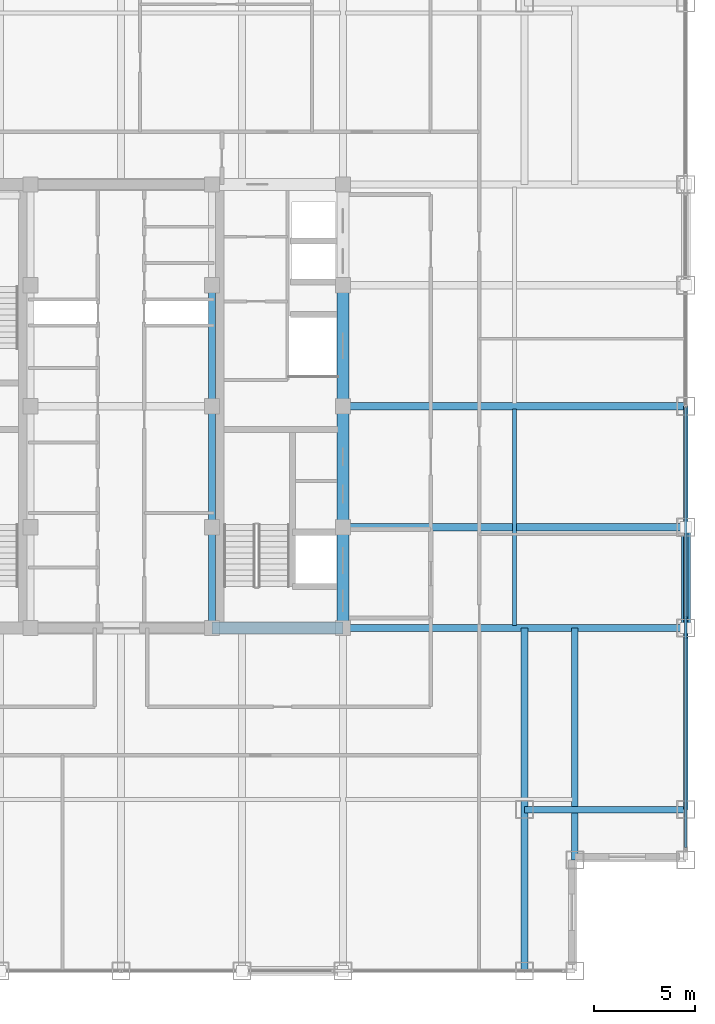
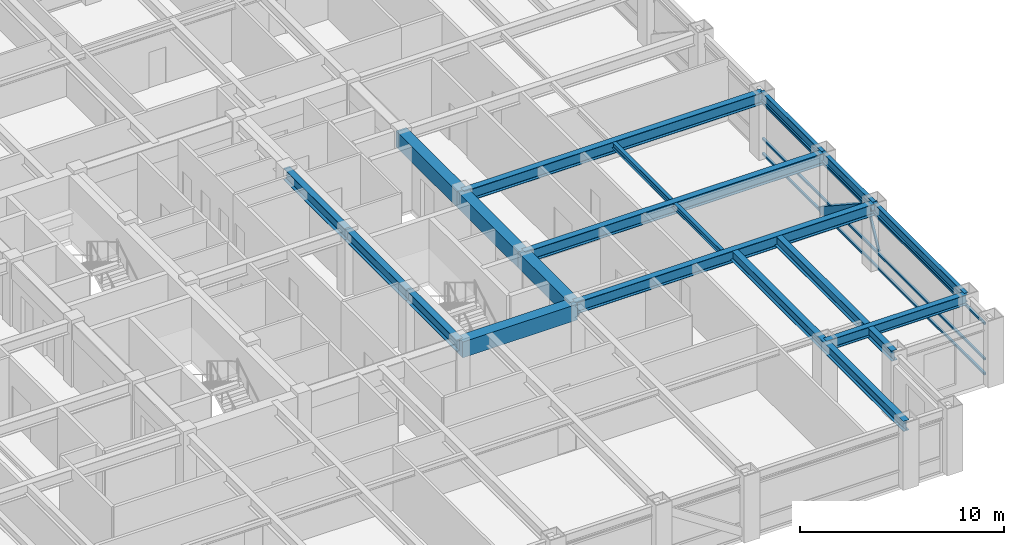
# One storey, part 9 of 22: 17 beams, 5 members, 1 element without a shape of its own.
"""IFC4 building model written with IfcOpenShell, lengths in metres."""

from ifc_helpers import new_model, si_unit, direction, frame, origin, origin_2d, place, context, subcontext, project, spatial, rectangle, hollow_rectangle, i_section, extrude, source, transform, mapped, material, material_profile, profile_set, type_object, element, aggregate, save


model = new_model("IFC4")

# Units and contexts
model_context = context("Model", 3, precision=1e-05, world=origin(), true_north=direction((0.0, 1.0)))
body_context = subcontext(model_context, "Body", "Model", "MODEL_VIEW")
ifc_project = project(units=[si_unit("LENGTHUNIT", "METRE"), si_unit("AREAUNIT", "SQUARE_METRE"), si_unit("VOLUMEUNIT", "CUBIC_METRE"), si_unit("PLANEANGLEUNIT", "RADIAN"), si_unit("MASSUNIT", "GRAM", prefix="KILO")], contexts=[model_context])

# Site, building, storey
site_placement = place(None, origin())
site = spatial("IfcSite", under=ifc_project, at=site_placement, CompositionType="ELEMENT")
building_placement = place(site_placement, origin())
building = spatial("IfcBuilding", under=site, at=building_placement, Name="Khorayat Bourse Tower", CompositionType="ELEMENT")
storey_placement = place(building_placement, frame((0.0, 0.0, 301.5)))
storey = spatial("IfcBuildingStorey", under=building, at=storey_placement, Name="L71", CompositionType="ELEMENT", Elevation=301.5)

# Beams
ifc_material_1 = material(Name="Steel ASTM A992 Grade 50", Category="steel")
ifc_material_profile_1 = material_profile(ifc_material_1, i_section(OverallWidth=0.35498046875, OverallDepth=0.695068359375, WebThickness=0.015380859375, FlangeThickness=0.02490234375, FilletRadius=0.01806640625, at=origin_2d()), Name="W690X217")
ifc_profile_set_1 = profile_set([ifc_material_profile_1], Name="Steel ASTM A992 Grade 50")
beam_type_1 = type_object("IfcBeamType", Name="BM-GIRD-690", PredefinedType="BEAM", material=ifc_profile_set_1)
shared_shape_1 = source(origin(), body_context, "Body", "SweptSolid", [
    extrude(i_section(OverallWidth=0.35498046875, OverallDepth=0.695068359375, WebThickness=0.015380859375, FlangeThickness=0.02490234375, FilletRadius=0.01806640625, at=origin_2d()), origin(), (0.0, 0.0, 1.0), 5.0),
])
beam_1_placement = place(storey_placement, frame((4.5, -11.0, 3.4326171875), z_axis=(0.0, 1.0, 0.0), x_axis=(-1.0, 0.0, 0.0)))
element("IfcBeam", 1, at=beam_1_placement, inside=storey, type_object=beam_type_1, Name="L71 BM-GIRD-690 BM-L71-CRX-09", PredefinedType="BEAM", context=body_context, shape_type="MappedRepresentation", body=[
    mapped(shared_shape_1, transform((0.0, 0.0, 0.0), scale=1.0)),
])
shared_shape_2 = source(origin(), body_context, "Body", "SweptSolid", [
    extrude(i_section(OverallWidth=0.35498046875, OverallDepth=0.695068359375, WebThickness=0.015380859375, FlangeThickness=0.02490234375, FilletRadius=0.01806640625, at=origin_2d()), origin(), (0.0, 0.0, 1.0), 6.0),
])
for number, where, z_axis, x_axis, name in (
    (2, (4.5, -6.0, 3.4326171875), (0.0, 1.0, 0.0), (-1.0, 0.0, 0.0), "L71 BM-GIRD-690 BM-L71-CRX-10"),
    (3, (4.5, 0.0, 3.4326171875), (0.0, 1.0, 0.0), (-1.0, 0.0, 0.0), "L71 BM-GIRD-690 BM-L71-CRX-11"),
):
    element("IfcBeam", number, at=place(storey_placement, frame(where, z_axis=z_axis, x_axis=x_axis)), inside=storey, type_object=beam_type_1, Name=name, PredefinedType="BEAM", context=body_context, shape_type="MappedRepresentation", body=[
        mapped(shared_shape_2, transform((0.0, 0.0, 0.0), scale=1.0)),
    ])
ifc_material_profile_2 = material_profile(ifc_material_1, i_section(OverallWidth=0.324951171875, OverallDepth=0.615966796875, WebThickness=0.013916015625, FlangeThickness=0.021484375, FilletRadius=0.01611328125, at=origin_2d()), Name="W610X174")
ifc_profile_set_2 = profile_set([ifc_material_profile_2], Name="Steel ASTM A992 Grade 50")
beam_type_2 = type_object("IfcBeamType", Name="BM-GIRD-610", PredefinedType="BEAM", material=ifc_profile_set_2)
shared_shape_3 = source(origin(), body_context, "Body", "SweptSolid", [
    extrude(i_section(OverallWidth=0.324951171875, OverallDepth=0.615966796875, WebThickness=0.013916015625, FlangeThickness=0.021484375, FilletRadius=0.01611328125, at=origin_2d()), origin(), (0.0, 0.0, 1.0), 17.0),
])
beam_2_placement = place(storey_placement, frame((20.0, -28.0, 3.471923828125), z_axis=(0.0, 1.0, 0.0), x_axis=(-1.0, 0.0, 0.0)))
element("IfcBeam", 4, at=beam_2_placement, inside=storey, type_object=beam_type_2, Name="L71 BM-GIRD-610 BM-L71-CNRY-086", PredefinedType="BEAM", context=body_context, shape_type="MappedRepresentation", body=[
    mapped(shared_shape_3, transform((0.0, 0.0, 0.0), scale=1.0)),
])
ifc_material_2 = material(Name="Concrete C60/75", Category="concrete")
ifc_material_profile_3 = material_profile(ifc_material_2, rectangle(XDim=0.60009765625, YDim=0.949951171875, at=origin_2d()), Name="RC 600x950")
ifc_profile_set_3 = profile_set([ifc_material_profile_3], Name="Concrete C60/75")
beam_type_3 = type_object("IfcBeamType", Name="BM-COUP-950", PredefinedType="BEAM", material=ifc_profile_set_3)
shared_shape_4 = source(origin(), body_context, "Body", "SweptSolid", [
    extrude(rectangle(XDim=0.60009765625, YDim=0.949951171875, at=origin_2d()), origin(), (0.0, 0.0, 1.0), 5.0),
])
beam_3_placement = place(storey_placement, frame((11.0, -11.0, 3.304931640625), z_axis=(0.0, 1.0, 0.0), x_axis=(-1.0, 0.0, 0.0)))
element("IfcBeam", 5, at=beam_3_placement, inside=storey, type_object=beam_type_3, Name="L71 BM-COUP-950 BM-L71-CRX-13", PredefinedType="BEAM", context=body_context, shape_type="MappedRepresentation", body=[
    mapped(shared_shape_4, transform((0.0, 0.0, 0.0), scale=1.0)),
])
shared_shape_5 = source(origin(), body_context, "Body", "SweptSolid", [
    extrude(rectangle(XDim=0.60009765625, YDim=0.949951171875, at=origin_2d()), origin(), (0.0, 0.0, 1.0), 6.0),
])
for number, where, z_axis, x_axis, name in (
    (6, (11.0, -6.0, 3.304931640625), (0.0, 1.0, 0.0), (-1.0, 0.0, 0.0), "L71 BM-COUP-950 BM-L71-CRX-14"),
    (7, (11.0, 0.0, 3.304931640625), (0.0, 1.0, 0.0), (-1.0, 0.0, 0.0), "L71 BM-COUP-950 BM-L71-CRX-15"),
):
    element("IfcBeam", number, at=place(storey_placement, frame(where, z_axis=z_axis, x_axis=x_axis)), inside=storey, type_object=beam_type_3, Name=name, PredefinedType="BEAM", context=body_context, shape_type="MappedRepresentation", body=[
        mapped(shared_shape_5, transform((0.0, 0.0, 0.0), scale=1.0)),
    ])
shared_shape_6 = source(origin(), body_context, "Body", "SweptSolid", [
    extrude(rectangle(XDim=0.60009765625, YDim=0.949951171875, at=origin_2d()), origin(), (0.0, 0.0, 1.0), 6.5),
])
beam_4_placement = place(storey_placement, frame((4.5, -11.0, 3.304931640625), z_axis=(1.0, 0.0, 0.0), x_axis=(0.0, 1.0, 0.0)))
element("IfcBeam", 8, at=beam_4_placement, inside=storey, type_object=beam_type_3, Name="L71 BM-COUP-950 BM-L71-CRY-19", PredefinedType="BEAM", context=body_context, shape_type="MappedRepresentation", body=[
    mapped(shared_shape_6, transform((0.0, 0.0, 0.0), scale=1.0)),
])

# Member
ifc_material_3 = material(Name="Steel EN 10025-4 S460M", Category="steel")
ifc_material_profile_4 = material_profile(ifc_material_3, hollow_rectangle(XDim=0.449951171875, YDim=0.449951171875, WallThickness=0.02490234375, at=origin_2d()), Name="HSS 450x450x25")
ifc_profile_set_4 = profile_set([ifc_material_profile_4], Name="Steel EN 10025-4 S460M")
member_type_1 = type_object("IfcMemberType", Name="MBR-TUBE-450", PredefinedType="BRACE", material=ifc_profile_set_4)
shared_shape_7 = source(origin(), body_context, "Body", "SweptSolid", [
    extrude(hollow_rectangle(XDim=0.449951171875, YDim=0.449951171875, WallThickness=0.02490234375, at=origin_2d()), origin(), (0.0, 0.0, 1.0), 5.979736328125),
])
member_1_placement = place(storey_placement, frame((28.0, -11.0, 3.530029296875), z_axis=(0.0, 0.836141536525, -0.548513747227), x_axis=(-1.0, 0.0, 0.0)))
element("IfcMember", 9, at=member_1_placement, inside=storey, type_object=member_type_1, Name="L71 Perimeter Tube Brace 07", PredefinedType="BRACE", context=body_context, shape_type="MappedRepresentation", body=[
    mapped(shared_shape_7, transform((0.0, 0.0, 0.0), scale=1.0)),
])

# Beams
shared_shape_8 = source(origin(), body_context, "Body", "SweptSolid", [
    extrude(i_section(OverallWidth=0.35498046875, OverallDepth=0.695068359375, WebThickness=0.015380859375, FlangeThickness=0.02490234375, FilletRadius=0.01806640625, at=origin_2d()), origin(), (0.0, 0.0, 1.0), 17.0),
])
for number, where, z_axis, x_axis, name in (
    (10, (11.0, -11.0, 3.4326171875), (1.0, 0.0, 0.0), (0.0, 1.0, 0.0), "L71 BM-GIRD-690 BM-L71-RADX-074"),
    (11, (11.0, -6.0, 3.4326171875), (1.0, 0.0, 0.0), (0.0, 1.0, 0.0), "L71 BM-GIRD-690 BM-L71-RADX-076"),
    (12, (11.0, 0.0, 3.4326171875), (1.0, 0.0, 0.0), (0.0, 1.0, 0.0), "L71 BM-GIRD-690 BM-L71-RADX-078"),
):
    element("IfcBeam", number, at=place(storey_placement, frame(where, z_axis=z_axis, x_axis=x_axis)), inside=storey, type_object=beam_type_1, Name=name, PredefinedType="BEAM", context=body_context, shape_type="MappedRepresentation", body=[
        mapped(shared_shape_8, transform((0.0, 0.0, 0.0), scale=1.0)),
    ])
shared_shape_9 = source(origin(), body_context, "Body", "SweptSolid", [
    extrude(i_section(OverallWidth=0.324951171875, OverallDepth=0.615966796875, WebThickness=0.013916015625, FlangeThickness=0.021484375, FilletRadius=0.01611328125, at=origin_2d()), origin(), (0.0, 0.0, 1.0), 11.5),
])
beam_5_placement = place(storey_placement, frame((22.5, -22.5, 3.471923828125), z_axis=(0.0, 1.0, 0.0), x_axis=(-1.0, 0.0, 0.0)))
element("IfcBeam", 13, at=beam_5_placement, inside=storey, type_object=beam_type_2, Name="L71 BM-GIRD-610 BM-L71-CNRY-090", PredefinedType="BEAM", context=body_context, shape_type="MappedRepresentation", body=[
    mapped(shared_shape_9, transform((0.0, 0.0, 0.0), scale=1.0)),
])
shared_shape_10 = source(origin(), body_context, "Body", "SweptSolid", [
    extrude(i_section(OverallWidth=0.324951171875, OverallDepth=0.615966796875, WebThickness=0.013916015625, FlangeThickness=0.021484375, FilletRadius=0.01611328125, at=origin_2d()), origin(), (0.0, 0.0, 1.0), 8.0),
])
beam_6_placement = place(storey_placement, frame((20.0, -20.0, 3.471923828125), z_axis=(1.0, 0.0, 0.0), x_axis=(0.0, 1.0, 0.0)))
element("IfcBeam", 14, at=beam_6_placement, inside=storey, type_object=beam_type_2, Name="L71 BM-GIRD-610 BM-L71-CNRX-092", PredefinedType="BEAM", context=body_context, shape_type="MappedRepresentation", body=[
    mapped(shared_shape_10, transform((0.0, 0.0, 0.0), scale=1.0)),
])
ifc_material_profile_5 = material_profile(ifc_material_1, i_section(OverallWidth=0.202880859375, OverallDepth=0.346923828125, WebThickness=0.0078125, FlangeThickness=0.013427734375, FilletRadius=0.010009765625, at=origin_2d()), Name="W360X64")
ifc_profile_set_5 = profile_set([ifc_material_profile_5], Name="Steel ASTM A992 Grade 50")
beam_type_4 = type_object("IfcBeamType", Name="BM-JOIST-360", PredefinedType="JOIST", material=ifc_profile_set_5)
shared_shape_11 = source(origin(), body_context, "Body", "SweptSolid", [
    extrude(i_section(OverallWidth=0.202880859375, OverallDepth=0.346923828125, WebThickness=0.0078125, FlangeThickness=0.013427734375, FilletRadius=0.010009765625, at=origin_2d()), origin(), (0.0, 0.0, 1.0), 10.740234375),
])
beam_7_placement = place(storey_placement, frame((19.5, -10.8701171875, 3.6064453125), z_axis=(0.0, 1.0, 0.0), x_axis=(-1.0, 0.0, 0.0)))
element("IfcBeam", 15, at=beam_7_placement, inside=storey, type_object=beam_type_4, Name="L71 BM-JOIST-360 BM-L71-JSTY-104", PredefinedType="JOIST", context=body_context, shape_type="MappedRepresentation", body=[
    mapped(shared_shape_11, transform((0.0, 0.0, 0.0), scale=1.0)),
])
ifc_material_profile_6 = material_profile(ifc_material_1, i_section(OverallWidth=0.214111328125, OverallDepth=0.549072265625, WebThickness=0.0146484375, FlangeThickness=0.023681640625, FilletRadius=0.013916015625, at=origin_2d()), Name="W530X138")
ifc_profile_set_6 = profile_set([ifc_material_profile_6], Name="Steel ASTM A992 Grade 50")
beam_type_5 = type_object("IfcBeamType", Name="BM-SPAN-530", PredefinedType="SPANDREL", material=ifc_profile_set_6)
shared_shape_12 = source(origin(), body_context, "Body", "SweptSolid", [
    extrude(i_section(OverallWidth=0.214111328125, OverallDepth=0.549072265625, WebThickness=0.0146484375, FlangeThickness=0.023681640625, FilletRadius=0.013916015625, at=origin_2d()), origin(), (0.0, 0.0, 1.0), 9.0),
])
beam_8_placement = place(storey_placement, frame((28.0, -20.0, 3.505615234375), z_axis=(0.0, 1.0, 0.0), x_axis=(-1.0, 0.0, 0.0)))
element("IfcBeam", 16, at=beam_8_placement, inside=storey, type_object=beam_type_5, Name="L71 BM-SPAN-530 BM-L71-SPN-035", PredefinedType="SPANDREL", context=body_context, shape_type="MappedRepresentation", body=[
    mapped(shared_shape_12, transform((0.0, 0.0, 0.0), scale=1.0)),
])
shared_shape_13 = source(origin(), body_context, "Body", "SweptSolid", [
    extrude(i_section(OverallWidth=0.214111328125, OverallDepth=0.549072265625, WebThickness=0.0146484375, FlangeThickness=0.023681640625, FilletRadius=0.013916015625, at=origin_2d()), origin(), (0.0, 0.0, 1.0), 5.0),
])
beam_9_placement = place(storey_placement, frame((28.0, -11.0, 3.505615234375), z_axis=(0.0, 1.0, 0.0), x_axis=(-1.0, 0.0, 0.0)))
element("IfcBeam", 17, at=beam_9_placement, inside=storey, type_object=beam_type_5, Name="L71 BM-SPAN-530 BM-L71-SPN-036", PredefinedType="SPANDREL", context=body_context, shape_type="MappedRepresentation", body=[
    mapped(shared_shape_13, transform((0.0, 0.0, 0.0), scale=1.0)),
])
shared_shape_14 = source(origin(), body_context, "Body", "SweptSolid", [
    extrude(i_section(OverallWidth=0.214111328125, OverallDepth=0.549072265625, WebThickness=0.0146484375, FlangeThickness=0.023681640625, FilletRadius=0.013916015625, at=origin_2d()), origin(), (0.0, 0.0, 1.0), 6.0),
])
beam_10_placement = place(storey_placement, frame((28.0, -6.0, 3.505615234375), z_axis=(0.0, 1.0, 0.0), x_axis=(-1.0, 0.0, 0.0)))
element("IfcBeam", 18, at=beam_10_placement, inside=storey, type_object=beam_type_5, Name="L71 BM-SPAN-530 BM-L71-SPN-037", PredefinedType="SPANDREL", context=body_context, shape_type="MappedRepresentation", body=[
    mapped(shared_shape_14, transform((0.0, 0.0, 0.0), scale=1.0)),
])

# Curtain wall, members
ifc_material_4 = material(Name="Aluminium EN AW-6063 T6", Category="aluminium")
curtain_wall_type = type_object("IfcCurtainWallType", Name="CW-SYS-04", PredefinedType="NOTDEFINED", material=ifc_material_4)
curtain_wall_placement = place(storey_placement, origin())
curtain_wall = element("IfcCurtainWall", 19, at=curtain_wall_placement, inside=storey, type_object=curtain_wall_type, Name="L71 Curtain Wall CW-L71-E1", PredefinedType="NOTDEFINED")
ifc_material_profile_7 = material_profile(ifc_material_4, hollow_rectangle(XDim=0.1201171875, YDim=0.1201171875, WallThickness=0.0048828125, at=origin_2d()), Name="ALU 120x120x5")
ifc_profile_set_7 = profile_set([ifc_material_profile_7], Name="Aluminium EN AW-6063 T6")
member_type_2 = type_object("IfcMemberType", Name="CWM-DIAG-120", PredefinedType="MULLION", material=ifc_profile_set_7)
shared_shape_15 = source(origin(), body_context, "Body", "SweptSolid", [
    extrude(hollow_rectangle(XDim=0.1201171875, YDim=0.1201171875, WallThickness=0.0048828125, at=origin_2d()), origin(), (0.0, 0.0, 1.0), 2.0791015625),
])
member_2_placement = place(storey_placement, frame((28.0, -11.4541015625, 1.090087890625), z_axis=(0.0, 0.465717394116, 0.884933505309), x_axis=(-1.0, 0.0, 0.0)))
member_2 = element("IfcMember", 20, at=member_2_placement, type_object=member_type_2, Name="CW-L71-E1 Faceted Diagonal Mullion 1", PredefinedType="MULLION", context=body_context, shape_type="MappedRepresentation", body=[
    mapped(shared_shape_15, transform((0.0, 0.0, 0.0), scale=1.0)),
])
ifc_material_profile_8 = material_profile(ifc_material_4, hollow_rectangle(XDim=0.1201171875, YDim=0.1201171875, WallThickness=0.0048828125, at=origin_2d()), Name="ALU 120x120x5")
ifc_profile_set_8 = profile_set([ifc_material_profile_8], Name="Aluminium EN AW-6063 T6")
member_type_3 = type_object("IfcMemberType", Name="CWT-HORZ-120", PredefinedType="USERDEFINED", material=ifc_profile_set_8)
shared_shape_16 = source(origin(), body_context, "Body", "SweptSolid", [
    extrude(hollow_rectangle(XDim=0.1201171875, YDim=0.1201171875, WallThickness=0.0048828125, at=origin_2d()), origin(), (0.0, 0.0, 1.0), 21.81982421875),
])
member_3_placement = place(storey_placement, frame((28.0, -21.8798828125, 0.06005859375), z_axis=(0.0, 1.0, 0.0), x_axis=(-1.0, 0.0, 0.0)))
member_3 = element("IfcMember", 21, at=member_3_placement, type_object=member_type_3, Name="CW-L71-E1 Horizontal Transom 1-1", ObjectType="TRANSOM", PredefinedType="USERDEFINED", context=body_context, shape_type="MappedRepresentation", body=[
    mapped(shared_shape_16, transform((0.0, 0.0, 0.0), scale=1.0)),
])
member_4_placement = place(storey_placement, frame((28.0, -21.8798828125, 0.949951171875), z_axis=(0.0, 1.0, 0.0), x_axis=(-1.0, 0.0, 0.0)))
member_4 = element("IfcMember", 22, at=member_4_placement, type_object=member_type_3, Name="CW-L71-E1 Horizontal Transom 1-2", ObjectType="TRANSOM", PredefinedType="USERDEFINED", context=body_context, shape_type="MappedRepresentation", body=[
    mapped(shared_shape_16, transform((0.0, 0.0, 0.0), scale=1.0)),
])
member_5_placement = place(storey_placement, frame((28.0, -21.8798828125, 3.070068359375), z_axis=(0.0, 1.0, 0.0), x_axis=(-1.0, 0.0, 0.0)))
member_5 = element("IfcMember", 23, at=member_5_placement, type_object=member_type_3, Name="CW-L71-E1 Horizontal Transom 1-3", ObjectType="TRANSOM", PredefinedType="USERDEFINED", context=body_context, shape_type="MappedRepresentation", body=[
    mapped(shared_shape_16, transform((0.0, 0.0, 0.0), scale=1.0)),
])
aggregate(curtain_wall, [member_3, member_4, member_5, member_2])

save(model, "model.ifc")
